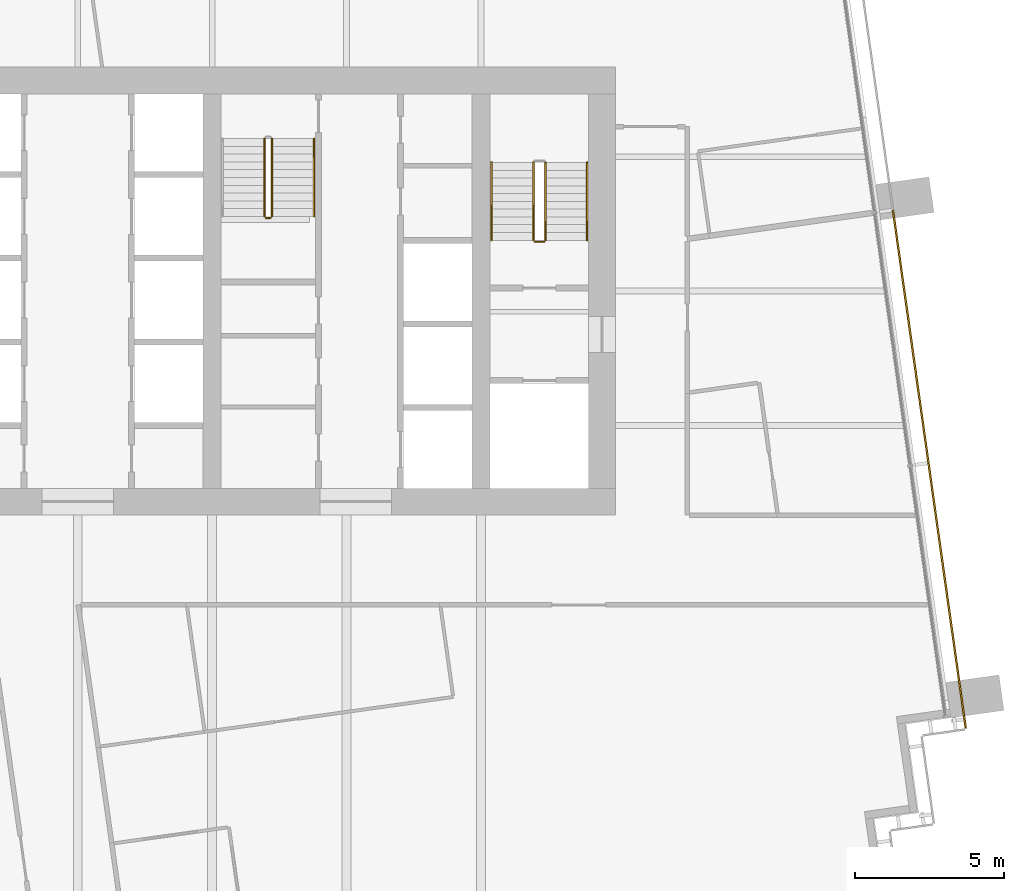
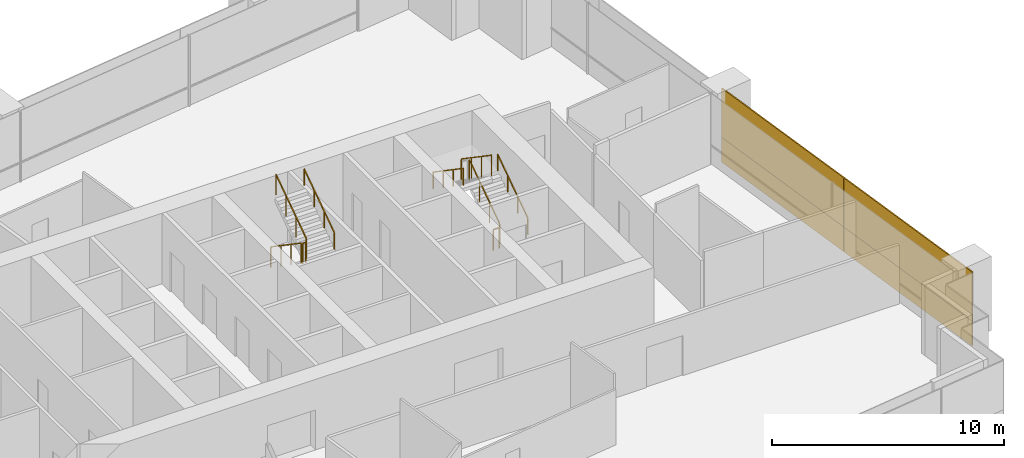
# One storey, part 16 of 18: 9 railings, 4 coverings.
"""IFC4 building model written with IfcOpenShell, lengths in metres."""

from ifc_helpers import new_model, si_unit, direction, frame, origin, origin_2d, place, context, subcontext, project, spatial, rectangle, extrude, material, layer, layer_set, type_object, element, save


model = new_model("IFC4")

# Units and contexts
model_context = context("Model", 3, precision=1e-05, world=origin(), true_north=direction((0.0, 1.0)))
body_context = subcontext(model_context, "Body", "Model", "MODEL_VIEW")
ifc_project = project(units=[si_unit("LENGTHUNIT", "METRE"), si_unit("AREAUNIT", "SQUARE_METRE"), si_unit("VOLUMEUNIT", "CUBIC_METRE"), si_unit("PLANEANGLEUNIT", "RADIAN"), si_unit("MASSUNIT", "GRAM", prefix="KILO")], contexts=[model_context])

# Site, building, storey
site_placement = place(None, origin())
site = spatial("IfcSite", under=ifc_project, at=site_placement, CompositionType="ELEMENT")
building_placement = place(site_placement, origin())
building = spatial("IfcBuilding", under=site, at=building_placement, Name="Rattan Terrace Tower", CompositionType="ELEMENT")
storey_placement = place(building_placement, frame((0.0, 0.0, 176.300048828125)))
storey = spatial("IfcBuildingStorey", under=building, at=storey_placement, Name="L40", CompositionType="ELEMENT", Elevation=176.300048828125)

# Railings
ifc_material_1 = material(Name="Powder-coated steel guard", Category="steel")
railing_type_1 = type_object("IfcRailingType", Name="Core stair guard", PredefinedType="GUARDRAIL", material=ifc_material_1)
railing_1_placement = place(storey_placement, frame((15.64990234375, 1.699951171875, 0.17724609375)))
element("IfcRailing", 1, at=railing_1_placement, inside=storey, type_object=railing_type_1, Name="L40 S2 stair guard 1", PredefinedType="GUARDRAIL", context=body_context, shape_type="SweptSolid", body=[
    extrude(rectangle(XDim=0.048095703125, YDim=0.048095703125, at=origin_2d()), frame((0.0, 0.0, 1.076171875), z_axis=(0.0, 0.826240473404, 0.563317565952), x_axis=(-1.0, 0.0, 0.0)), (0.0, 0.0, 1.0), 3.14697265625),
    extrude(rectangle(XDim=0.0419921875, YDim=0.0419921875, at=origin_2d()), origin(), (0.0, 0.0, 1.0), 1.052001953125),
    extrude(rectangle(XDim=0.0419921875, YDim=0.0419921875, at=origin_2d()), frame((0.0, 0.86669921875, 0.5908203125)), (0.0, 0.0, 1.0), 1.052001953125),
    extrude(rectangle(XDim=0.0419921875, YDim=0.0419921875, at=origin_2d()), frame((0.0, 1.7333984375, 1.181884765625)), (0.0, 0.0, 1.0), 1.052001953125),
    extrude(rectangle(XDim=0.0419921875, YDim=0.0419921875, at=origin_2d()), frame((0.0, 2.60009765625, 1.772705078125)), (0.0, 0.0, 1.0), 1.052001953125),
])
railing_2_placement = place(storey_placement, frame((15.25, 4.300048828125, 2.127197265625)))
element("IfcRailing", 2, at=railing_2_placement, inside=storey, type_object=railing_type_1, Name="L40 S2 stair guard 3", PredefinedType="GUARDRAIL", context=body_context, shape_type="SweptSolid", body=[
    extrude(rectangle(XDim=0.048095703125, YDim=0.048095703125, at=origin_2d()), frame((0.0, 0.0, 1.076171875), z_axis=(0.0, -0.826240473404, 0.563317565952), x_axis=(1.0, 0.0, 0.0)), (0.0, 0.0, 1.0), 3.14697265625),
    extrude(rectangle(XDim=0.0419921875, YDim=0.0419921875, at=origin_2d()), origin(), (0.0, 0.0, 1.0), 1.052001953125),
    extrude(rectangle(XDim=0.0419921875, YDim=0.0419921875, at=origin_2d()), frame((0.0, -0.86669921875, 0.5908203125)), (0.0, 0.0, 1.0), 1.052001953125),
    extrude(rectangle(XDim=0.0419921875, YDim=0.0419921875, at=origin_2d()), frame((0.0, -1.7333984375, 1.181884765625)), (0.0, 0.0, 1.0), 1.052001953125),
    extrude(rectangle(XDim=0.0419921875, YDim=0.0419921875, at=origin_2d()), frame((0.0, -2.60009765625, 1.772705078125)), (0.0, 0.0, 1.0), 1.052001953125),
])
railing_3_placement = place(storey_placement, frame((15.60009765625, 1.64990234375, 0.0)))
element("IfcRailing", 3, at=railing_3_placement, inside=storey, type_object=railing_type_1, Name="L40 S2 stair guard 4", PredefinedType="GUARDRAIL", context=body_context, shape_type="SweptSolid", body=[
    extrude(rectangle(XDim=0.048095703125, YDim=0.048095703125, at=origin_2d()), frame((0.0, 0.0, 1.076171875), z_axis=(-1.0, 0.0, 0.0), x_axis=(0.0, -1.0, 0.0)), (0.0, 0.0, 1.0), 0.300048828125),
    extrude(rectangle(XDim=0.0419921875, YDim=0.0419921875, at=origin_2d()), origin(), (0.0, 0.0, 1.0), 1.052001953125),
    extrude(rectangle(XDim=0.0419921875, YDim=0.0419921875, at=origin_2d()), frame((-0.300048828125, 0.0, 0.0)), (0.0, 0.0, 1.0), 1.052001953125),
])
railing_4_placement = place(storey_placement, frame((6.25, 5.10009765625, 0.17724609375)))
element("IfcRailing", 4, at=railing_4_placement, inside=storey, type_object=railing_type_1, Name="L40 S3 stair guard 1", PredefinedType="GUARDRAIL", context=body_context, shape_type="SweptSolid", body=[
    extrude(rectangle(XDim=0.048095703125, YDim=0.048095703125, at=origin_2d()), frame((0.0, 0.0, 1.076171875), z_axis=(0.0, -0.826240473404, 0.563317565952), x_axis=(1.0, 0.0, 0.0)), (0.0, 0.0, 1.0), 3.14697265625),
    extrude(rectangle(XDim=0.0419921875, YDim=0.0419921875, at=origin_2d()), origin(), (0.0, 0.0, 1.0), 1.052001953125),
    extrude(rectangle(XDim=0.0419921875, YDim=0.0419921875, at=origin_2d()), frame((0.0, -0.86669921875, 0.5908203125)), (0.0, 0.0, 1.0), 1.052001953125),
    extrude(rectangle(XDim=0.0419921875, YDim=0.0419921875, at=origin_2d()), frame((0.0, -1.7333984375, 1.181884765625)), (0.0, 0.0, 1.0), 1.052001953125),
    extrude(rectangle(XDim=0.0419921875, YDim=0.0419921875, at=origin_2d()), frame((0.0, -2.60009765625, 1.772705078125)), (0.0, 0.0, 1.0), 1.052001953125),
])
railing_5_placement = place(storey_placement, frame((6.300048828125, 2.449951171875, 1.949951171875)))
element("IfcRailing", 5, at=railing_5_placement, inside=storey, type_object=railing_type_1, Name="L40 S3 stair guard 2", PredefinedType="GUARDRAIL", context=body_context, shape_type="SweptSolid", body=[
    extrude(rectangle(XDim=0.048095703125, YDim=0.048095703125, at=origin_2d()), frame((0.0, 0.0, 1.076171875), z_axis=(1.0, 0.0, 0.0), x_axis=(0.0, 1.0, 0.0)), (0.0, 0.0, 1.0), 0.14990234375),
    extrude(rectangle(XDim=0.0419921875, YDim=0.0419921875, at=origin_2d()), origin(), (0.0, 0.0, 1.0), 1.052001953125),
    extrude(rectangle(XDim=0.0419921875, YDim=0.0419921875, at=origin_2d()), frame((0.14990234375, 0.0, 0.0)), (0.0, 0.0, 1.0), 1.052001953125),
])
railing_6_placement = place(storey_placement, frame((6.5, 2.5, 2.127197265625)))
element("IfcRailing", 6, at=railing_6_placement, inside=storey, type_object=railing_type_1, Name="L40 S3 stair guard 3", PredefinedType="GUARDRAIL", context=body_context, shape_type="SweptSolid", body=[
    extrude(rectangle(XDim=0.048095703125, YDim=0.048095703125, at=origin_2d()), frame((0.0, 0.0, 1.076171875), z_axis=(0.0, 0.826240473404, 0.563317565952), x_axis=(-1.0, 0.0, 0.0)), (0.0, 0.0, 1.0), 3.14697265625),
    extrude(rectangle(XDim=0.0419921875, YDim=0.0419921875, at=origin_2d()), origin(), (0.0, 0.0, 1.0), 1.052001953125),
    extrude(rectangle(XDim=0.0419921875, YDim=0.0419921875, at=origin_2d()), frame((0.0, 0.86669921875, 0.5908203125)), (0.0, 0.0, 1.0), 1.052001953125),
    extrude(rectangle(XDim=0.0419921875, YDim=0.0419921875, at=origin_2d()), frame((0.0, 1.7333984375, 1.181884765625)), (0.0, 0.0, 1.0), 1.052001953125),
    extrude(rectangle(XDim=0.0419921875, YDim=0.0419921875, at=origin_2d()), frame((0.0, 2.60009765625, 1.772705078125)), (0.0, 0.0, 1.0), 1.052001953125),
])
ifc_material_2 = material(Name="Powder-coated steel handrail", Category="steel")
railing_type_2 = type_object("IfcRailingType", Name="Core stair handrail", PredefinedType="HANDRAIL", material=ifc_material_2)
railing_7_placement = place(storey_placement, frame((17.050048828125, 1.699951171875, 0.17724609375)))
element("IfcRailing", 7, at=railing_7_placement, inside=storey, type_object=railing_type_2, Name="L40 S2 stair handrail 1", PredefinedType="HANDRAIL", context=body_context, shape_type="SweptSolid", body=[
    extrude(rectangle(XDim=0.048095703125, YDim=0.048095703125, at=origin_2d()), frame((0.0, 0.0, 0.8759765625), z_axis=(0.0, 0.826240473404, 0.563317565952), x_axis=(-1.0, 0.0, 0.0)), (0.0, 0.0, 1.0), 3.14697265625),
    extrude(rectangle(XDim=0.0419921875, YDim=0.0419921875, at=origin_2d()), origin(), (0.0, 0.0, 1.0), 0.851806640625),
    extrude(rectangle(XDim=0.0419921875, YDim=0.0419921875, at=origin_2d()), frame((0.0, 0.86669921875, 0.5908203125)), (0.0, 0.0, 1.0), 0.851806640625),
    extrude(rectangle(XDim=0.0419921875, YDim=0.0419921875, at=origin_2d()), frame((0.0, 1.7333984375, 1.181884765625)), (0.0, 0.0, 1.0), 0.851806640625),
    extrude(rectangle(XDim=0.0419921875, YDim=0.0419921875, at=origin_2d()), frame((0.0, 2.60009765625, 1.772705078125)), (0.0, 0.0, 1.0), 0.851806640625),
])
railing_8_placement = place(storey_placement, frame((13.85009765625, 4.300048828125, 2.127197265625)))
element("IfcRailing", 8, at=railing_8_placement, inside=storey, type_object=railing_type_2, Name="L40 S2 stair handrail 2", PredefinedType="HANDRAIL", context=body_context, shape_type="SweptSolid", body=[
    extrude(rectangle(XDim=0.048095703125, YDim=0.048095703125, at=origin_2d()), frame((0.0, 0.0, 0.8759765625), z_axis=(0.0, -0.826240473404, 0.563317565952), x_axis=(1.0, 0.0, 0.0)), (0.0, 0.0, 1.0), 3.14697265625),
    extrude(rectangle(XDim=0.0419921875, YDim=0.0419921875, at=origin_2d()), origin(), (0.0, 0.0, 1.0), 0.851806640625),
    extrude(rectangle(XDim=0.0419921875, YDim=0.0419921875, at=origin_2d()), frame((0.0, -0.86669921875, 0.5908203125)), (0.0, 0.0, 1.0), 0.851806640625),
    extrude(rectangle(XDim=0.0419921875, YDim=0.0419921875, at=origin_2d()), frame((0.0, -1.7333984375, 1.181884765625)), (0.0, 0.0, 1.0), 0.851806640625),
    extrude(rectangle(XDim=0.0419921875, YDim=0.0419921875, at=origin_2d()), frame((0.0, -2.60009765625, 1.772705078125)), (0.0, 0.0, 1.0), 0.851806640625),
])
railing_9_placement = place(storey_placement, frame((7.89990234375, 2.5, 2.127197265625)))
element("IfcRailing", 9, at=railing_9_placement, inside=storey, type_object=railing_type_2, Name="L40 S3 stair handrail 2", PredefinedType="HANDRAIL", context=body_context, shape_type="SweptSolid", body=[
    extrude(rectangle(XDim=0.048095703125, YDim=0.048095703125, at=origin_2d()), frame((0.0, 0.0, 0.8759765625), z_axis=(0.0, 0.826240473404, 0.563317565952), x_axis=(-1.0, 0.0, 0.0)), (0.0, 0.0, 1.0), 3.14697265625),
    extrude(rectangle(XDim=0.0419921875, YDim=0.0419921875, at=origin_2d()), origin(), (0.0, 0.0, 1.0), 0.851806640625),
    extrude(rectangle(XDim=0.0419921875, YDim=0.0419921875, at=origin_2d()), frame((0.0, 0.86669921875, 0.5908203125)), (0.0, 0.0, 1.0), 0.851806640625),
    extrude(rectangle(XDim=0.0419921875, YDim=0.0419921875, at=origin_2d()), frame((0.0, 1.7333984375, 1.181884765625)), (0.0, 0.0, 1.0), 0.851806640625),
    extrude(rectangle(XDim=0.0419921875, YDim=0.0419921875, at=origin_2d()), frame((0.0, 2.60009765625, 1.772705078125)), (0.0, 0.0, 1.0), 0.851806640625),
])

# Coverings
ifc_material_3 = material(Name="Solid terracotta", Category="masonry")
ifc_layer_1 = layer(ifc_material_3, 0.06005859375)
ifc_layer_set_1 = layer_set([ifc_layer_1], Name="Facade Terracotta Band Panel")
covering_type_1 = type_object("IfcCoveringType", Name="Facade Terracotta Band Panel", PredefinedType="CLADDING", material=ifc_layer_set_1)
covering_1_placement = place(storey_placement, frame((29.095703125, -10.19580078125, -0.18994140625), z_axis=(0.0, 0.0, 1.0), x_axis=(-0.139190856006, 0.99026557327, 0.0)))
element("IfcCovering", 10, at=covering_1_placement, inside=storey, type_object=covering_type_1, Name="OUTER SKIN panel L40-6A", PredefinedType="CLADDING", context=body_context, shape_type="SweptSolid", body=[
    extrude(rectangle(XDim=8.949951171875, YDim=0.06005859375, at=origin_2d()), origin(), (0.0, 0.0, 1.0), 1.300048828125),
])
covering_2_placement = place(storey_placement, frame((27.87646484375, -1.521240234375, -0.18994140625), z_axis=(0.0, 0.0, 1.0), x_axis=(-0.139190856006, 0.99026557327, 0.0)))
element("IfcCovering", 11, at=covering_2_placement, inside=storey, type_object=covering_type_1, Name="OUTER SKIN panel L40-7A", PredefinedType="CLADDING", context=body_context, shape_type="SweptSolid", body=[
    extrude(rectangle(XDim=8.530029296875, YDim=0.06005859375, at=origin_2d()), origin(), (0.0, 0.0, 1.0), 1.300048828125),
])
ifc_material_4 = material(Name="Perforated terracotta", Category="masonry")
ifc_layer_2 = layer(ifc_material_4, 0.06005859375)
ifc_layer_set_2 = layer_set([ifc_layer_2], Name="Facade Terracotta Screen Panel")
covering_type_2 = type_object("IfcCoveringType", Name="Facade Terracotta Screen Panel", PredefinedType="CLADDING", material=ifc_layer_set_2)
covering_3_placement = place(storey_placement, frame((29.095703125, -10.19580078125, 1.10986328125), z_axis=(0.0, 0.0, 1.0), x_axis=(-0.139190856006, 0.99026557327, 0.0)))
element("IfcCovering", 12, at=covering_3_placement, inside=storey, type_object=covering_type_2, Name="OUTER SKIN panel L40-6B", PredefinedType="CLADDING", context=body_context, shape_type="SweptSolid", body=[
    extrude(rectangle(XDim=8.949951171875, YDim=0.06005859375, at=origin_2d()), origin(), (0.0, 0.0, 1.0), 2.580078125),
])
covering_4_placement = place(storey_placement, frame((27.87646484375, -1.521240234375, 1.10986328125), z_axis=(0.0, 0.0, 1.0), x_axis=(-0.139190856006, 0.99026557327, 0.0)))
element("IfcCovering", 13, at=covering_4_placement, inside=storey, type_object=covering_type_2, Name="OUTER SKIN panel L40-7B", PredefinedType="CLADDING", context=body_context, shape_type="SweptSolid", body=[
    extrude(rectangle(XDim=8.530029296875, YDim=0.06005859375, at=origin_2d()), origin(), (0.0, 0.0, 1.0), 2.580078125),
])

save(model, "model.ifc")
